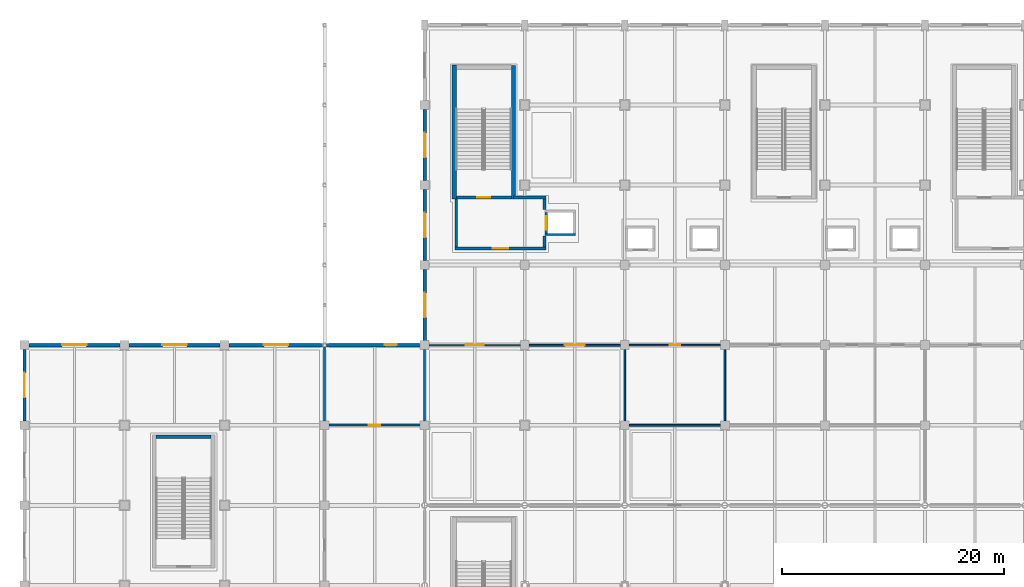
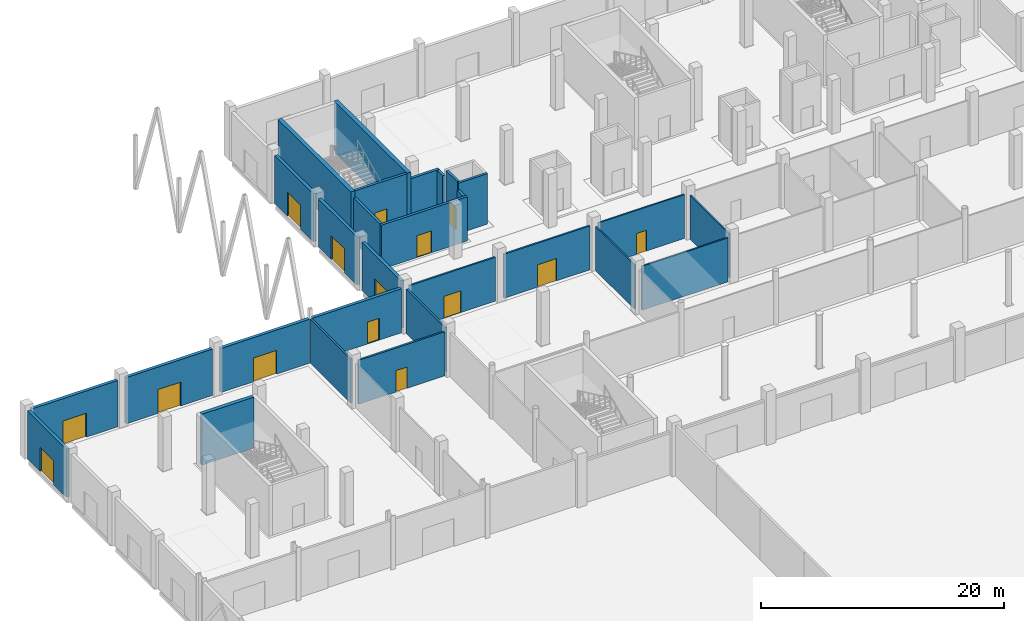
# One storey, part 95 of 137: 28 walls, 15 doors, 15 openings.
"""IFC4 building model written with IfcOpenShell, lengths in metres."""

from ifc_helpers import new_model, si_unit, direction, frame, frame_2d, origin, place, context, subcontext, project, spatial, rectangle, extrude, material, layer, layer_set, type_object, element, fill, save


model = new_model("IFC4")

# Units and contexts
model_context = context("Model", 3, precision=1e-05, world=origin(), true_north=direction((0.0, 1.0)))
body_context = subcontext(model_context, "Body", "Model", "MODEL_VIEW")
ifc_project = project(units=[si_unit("LENGTHUNIT", "METRE"), si_unit("AREAUNIT", "SQUARE_METRE"), si_unit("VOLUMEUNIT", "CUBIC_METRE"), si_unit("PLANEANGLEUNIT", "RADIAN"), si_unit("MASSUNIT", "GRAM", prefix="KILO")], contexts=[model_context])

# Site, building, storey
site_placement = place(None, origin())
site = spatial("IfcSite", under=ifc_project, at=site_placement, CompositionType="ELEMENT")
building_placement = place(site_placement, origin())
building = spatial("IfcBuilding", under=site, at=building_placement, Name="Celestram Park Convention Centre", CompositionType="ELEMENT")
storey_placement = place(building_placement, origin())
storey = spatial("IfcBuildingStorey", under=building, at=storey_placement, Name="L00", CompositionType="ELEMENT", Elevation=0.0)

# Wall, opening, door
ifc_material_1 = material(Name="Concrete Block Masonry C25/30", Category="masonry")
ifc_layer_1 = layer(ifc_material_1, 0.25)
ifc_layer_set_1 = layer_set([ifc_layer_1], Name="Concrete Block Masonry C25/30")
wall_type_1 = type_object("IfcWallType", Name="ARC-WL-COR250", PredefinedType="STANDARD", material=ifc_layer_set_1)
wall_1_placement = place(storey_placement, frame((43.800048828125, 150.074951171875, 0.0), z_axis=(0.0, 0.0, 1.0), x_axis=(-1.0, 0.0, 0.0)))
wall_1 = element("IfcWall", 1, at=wall_1_placement, inside=storey, type_object=wall_type_1, Name="Core C1 stair entrance wall", PredefinedType="STANDARD", context=body_context, shape_type="SweptSolid", body=[
    extrude(rectangle(XDim=4.9599609375, YDim=0.25, at=frame_2d((2.47998046875, 0.0))), origin(), (0.0, 0.0, 1.0), 5.080078125),
])
opening_1_placement = place(wall_1_placement, frame((1.905029296875, 0.0, 0.0)))
opening_1 = element("IfcOpeningElement", 2, at=opening_1_placement, cuts=wall_1, Name="Opening D-ST1", PredefinedType="OPENING", context=body_context, shape_type="SweptSolid", body=[
    extrude(rectangle(XDim=1.14990234375, YDim=2.199951171875, at=frame_2d((0.574951171875, 1.10009765625))), frame((0.0, 0.135009765625, 0.0), z_axis=(0.0, -1.0, 0.0), x_axis=(1.0, 0.0, 0.0)), (0.0, 0.0, 1.0), 0.27001953125),
])
ifc_material_2 = material(Name="Fire-Rated Hollow Metal Steel ASTM A653", Category="steel")
door_type_1 = type_object("IfcDoorType", Name="ARC-DR-ST115", OperationType="NOTDEFINED", PredefinedType="DOOR", material=ifc_material_2)
door_1_placement = place(opening_1_placement, origin())
door_1 = element("IfcDoor", 3, at=door_1_placement, inside=storey, type_object=door_type_1, Name="Exit stair ST-01 fire door", OperationType="SINGLE_SWING_RIGHT", OverallHeight=2.199951171875, OverallWidth=1.14990234375, PredefinedType="DOOR", context=body_context, shape_type="SweptSolid", body=[
    extrude(rectangle(XDim=1.14990234375, YDim=2.199951171875, at=frame_2d((0.574951171875, 1.10009765625))), frame((0.0, 0.02490234375, 0.0), z_axis=(0.0, -1.0, 0.0), x_axis=(1.0, 0.0, 0.0)), (0.0, 0.0, 1.0), 0.050048828125),
])
fill(opening_1, door_1)

# Wall
wall_2_placement = place(storey_placement, frame((38.840087890625, 149.93994140625, 0.0), z_axis=(0.0, 0.0, 1.0), x_axis=(0.0, -1.0, 0.0)))
element("IfcWall", 4, at=wall_2_placement, inside=storey, type_object=wall_type_1, Name="Firefighting Lift Lobby C1 W wall", PredefinedType="STANDARD", context=body_context, shape_type="SweptSolid", body=[
    extrude(rectangle(XDim=4.31494140625, YDim=0.25, at=frame_2d((2.157470703125, 0.0))), origin(), (0.0, 0.0, 1.0), 4.43701171875),
])

# Wall, opening, door
wall_3_placement = place(storey_placement, frame((38.715087890625, 145.5, 0.0), z_axis=(0.0, 0.0, 1.0), x_axis=(1.0, 0.0, 0.0)))
wall_3 = element("IfcWall", 5, at=wall_3_placement, inside=storey, type_object=wall_type_1, Name="Firefighting Lift Lobby C1 S wall", PredefinedType="STANDARD", context=body_context, shape_type="SweptSolid", body=[
    extrude(rectangle(XDim=8.18994140625, YDim=0.25, at=frame_2d((4.094970703125, 0.0))), origin(), (0.0, 0.0, 1.0), 4.43701171875),
])
opening_2_placement = place(wall_3_placement, frame((3.39501953125, 0.0, 0.0)))
opening_2 = element("IfcOpeningElement", 6, at=opening_2_placement, cuts=wall_3, Name="Opening D-LB1", PredefinedType="OPENING", context=body_context, shape_type="SweptSolid", body=[
    extrude(rectangle(XDim=1.39990234375, YDim=2.199951171875, at=frame_2d((0.699951171875, 1.10009765625))), frame((0.0, 0.135009765625, 0.0), z_axis=(0.0, -1.0, 0.0), x_axis=(1.0, 0.0, 0.0)), (0.0, 0.0, 1.0), 0.27001953125),
])
ifc_material_3 = material(Name="Fire-Rated Glazed Steel Frame", Category="steel")
door_type_2 = type_object("IfcDoorType", Name="ARC-DR-LB140", OperationType="NOTDEFINED", PredefinedType="DOOR", material=ifc_material_3)
door_2_placement = place(opening_2_placement, origin())
door_2 = element("IfcDoor", 7, at=door_2_placement, inside=storey, type_object=door_type_2, Name="Firefighting Lift Lobby C1 fire door", OperationType="SINGLE_SWING_RIGHT", OverallHeight=2.199951171875, OverallWidth=1.39990234375, PredefinedType="DOOR", context=body_context, shape_type="SweptSolid", body=[
    extrude(rectangle(XDim=1.39990234375, YDim=2.199951171875, at=frame_2d((0.699951171875, 1.10009765625))), frame((0.0, 0.02490234375, 0.0), z_axis=(0.0, -1.0, 0.0), x_axis=(1.0, 0.0, 0.0)), (0.0, 0.0, 1.0), 0.050048828125),
])
fill(opening_2, door_2)

# Walls
wall_4_placement = place(storey_placement, frame((46.780029296875, 145.625, 0.0), z_axis=(0.0, 0.0, 1.0), x_axis=(0.0, 1.0, 0.0)))
element("IfcWall", 8, at=wall_4_placement, inside=storey, type_object=wall_type_1, Name="Firefighting Lift Lobby C1 ES wall", PredefinedType="STANDARD", context=body_context, shape_type="SweptSolid", body=[
    extrude(rectangle(XDim=0.97509765625, YDim=0.25, at=frame_2d((0.487548828125, 0.0))), origin(), (0.0, 0.0, 1.0), 4.43701171875),
])
wall_5_placement = place(storey_placement, frame((46.780029296875, 149.0, 0.0), z_axis=(0.0, 0.0, 1.0), x_axis=(0.0, 1.0, 0.0)))
element("IfcWall", 9, at=wall_5_placement, inside=storey, type_object=wall_type_1, Name="Firefighting Lift Lobby C1 EN wall", PredefinedType="STANDARD", context=body_context, shape_type="SweptSolid", body=[
    extrude(rectangle(XDim=0.949951171875, YDim=0.25, at=frame_2d((0.47509765625, 0.0))), origin(), (0.0, 0.0, 1.0), 4.43701171875),
])
wall_6_placement = place(storey_placement, frame((44.0, 150.074951171875, 0.0), z_axis=(0.0, 0.0, 1.0), x_axis=(1.0, 0.0, 0.0)))
element("IfcWall", 10, at=wall_6_placement, inside=storey, type_object=wall_type_1, Name="Firefighting Lift Lobby C1 N wall", PredefinedType="STANDARD", context=body_context, shape_type="SweptSolid", body=[
    extrude(rectangle(XDim=2.905029296875, YDim=0.25, at=frame_2d((1.45263671875, 0.0))), origin(), (0.0, 0.0, 1.0), 4.43701171875),
])

# Wall, opening, door
ifc_material_4 = material(Name="Precast Concrete C40/50", Category="concrete")
ifc_layer_2 = layer(ifc_material_4, 0.300048828125)
ifc_layer_set_2 = layer_set([ifc_layer_2], Name="Precast Concrete C40/50")
wall_type_2 = type_object("IfcWallType", Name="ARC-WL-EXT300", PredefinedType="STANDARD", material=ifc_layer_set_2)
wall_7_placement = place(storey_placement, frame((0.0, 129.998046875, 0.0), z_axis=(0.0, 0.0, 1.0), x_axis=(0.0, 1.0, 0.0)))
wall_7 = element("IfcWall", 11, at=wall_7_placement, inside=storey, type_object=wall_type_2, Name="Bush-hammered precast exterior wall WL-L00-EW016", PredefinedType="STANDARD", context=body_context, shape_type="SweptSolid", body=[
    extrude(rectangle(XDim=6.404052734375, YDim=0.300048828125, at=frame_2d((3.2021484375, 0.0))), origin(), (0.0, 0.0, 1.0), 4.820068359375),
])
opening_3_placement = place(wall_7_placement, frame((2.10205078125, 0.0, 0.0)))
opening_3 = element("IfcOpeningElement", 12, at=opening_3_placement, cuts=wall_7, Name="Opening D-EX1", PredefinedType="OPENING", context=body_context, shape_type="SweptSolid", body=[
    extrude(rectangle(XDim=2.199951171875, YDim=2.39990234375, at=frame_2d((1.10009765625, 1.199951171875))), frame((0.0, 0.159912109375, 0.0), z_axis=(0.0, -1.0, 0.0), x_axis=(1.0, 0.0, 0.0)), (0.0, 0.0, 1.0), 0.320068359375),
])
ifc_material_5 = material(Name="Anodised Aluminium & Tempered Glass", Category="aluminium")
door_type_3 = type_object("IfcDoorType", Name="ARC-DR-EX2200", OperationType="NOTDEFINED", PredefinedType="DOOR", material=ifc_material_5)
door_3_placement = place(opening_3_placement, origin())
door_3 = element("IfcDoor", 13, at=door_3_placement, inside=storey, type_object=door_type_3, Name="Ground egress exit door DR-L00-EX16", OperationType="DOUBLE_DOOR_SINGLE_SWING", OverallHeight=2.39990234375, OverallWidth=2.199951171875, PredefinedType="DOOR", context=body_context, shape_type="SweptSolid", body=[
    extrude(rectangle(XDim=2.199951171875, YDim=2.39990234375, at=frame_2d((1.10009765625, 1.199951171875))), frame((0.0, 0.02490234375, 0.0), z_axis=(0.0, -1.0, 0.0), x_axis=(1.0, 0.0, 0.0)), (0.0, 0.0, 1.0), 0.050048828125),
])
fill(opening_3, door_3)

wall_8_placement = place(storey_placement, frame((0.39794921875, 136.800048828125, 0.0), z_axis=(0.0, 0.0, 1.0), x_axis=(1.0, 0.0, 0.0)))
wall_8 = element("IfcWall", 14, at=wall_8_placement, inside=storey, type_object=wall_type_2, Name="Bush-hammered precast exterior wall WL-L00-EW017", PredefinedType="STANDARD", context=body_context, shape_type="SweptSolid", body=[
    extrude(rectangle(XDim=8.2041015625, YDim=0.300048828125, at=frame_2d((4.10205078125, 0.0))), origin(), (0.0, 0.0, 1.0), 4.653076171875),
])
opening_4_placement = place(wall_8_placement, frame((3.001953125, 0.0, 0.0)))
opening_4 = element("IfcOpeningElement", 15, at=opening_4_placement, cuts=wall_8, Name="Opening D-EX1", PredefinedType="OPENING", context=body_context, shape_type="SweptSolid", body=[
    extrude(rectangle(XDim=2.199951171875, YDim=2.39990234375, at=frame_2d((1.10009765625, 1.199951171875))), frame((0.0, 0.159912109375, 0.0), z_axis=(0.0, -1.0, 0.0), x_axis=(1.0, 0.0, 0.0)), (0.0, 0.0, 1.0), 0.320068359375),
])
door_4_placement = place(opening_4_placement, origin())
door_4 = element("IfcDoor", 16, at=door_4_placement, inside=storey, type_object=door_type_3, Name="Ground egress exit door DR-L00-EX17", OperationType="DOUBLE_DOOR_SINGLE_SWING", OverallHeight=2.39990234375, OverallWidth=2.199951171875, PredefinedType="DOOR", context=body_context, shape_type="SweptSolid", body=[
    extrude(rectangle(XDim=2.199951171875, YDim=2.39990234375, at=frame_2d((1.10009765625, 1.199951171875))), frame((0.0, 0.02490234375, 0.0), z_axis=(0.0, -1.0, 0.0), x_axis=(1.0, 0.0, 0.0)), (0.0, 0.0, 1.0), 0.050048828125),
])
fill(opening_4, door_4)

wall_9_placement = place(storey_placement, frame((9.39794921875, 136.800048828125, 0.0), z_axis=(0.0, 0.0, 1.0), x_axis=(1.0, 0.0, 0.0)))
wall_9 = element("IfcWall", 17, at=wall_9_placement, inside=storey, type_object=wall_type_2, Name="Bush-hammered precast exterior wall WL-L00-EW018", PredefinedType="STANDARD", context=body_context, shape_type="SweptSolid", body=[
    extrude(rectangle(XDim=8.2041015625, YDim=0.300048828125, at=frame_2d((4.10205078125, 0.0))), origin(), (0.0, 0.0, 1.0), 4.6630859375),
])
opening_5_placement = place(wall_9_placement, frame((3.001953125, 0.0, 0.0)))
opening_5 = element("IfcOpeningElement", 18, at=opening_5_placement, cuts=wall_9, Name="Opening D-EX1", PredefinedType="OPENING", context=body_context, shape_type="SweptSolid", body=[
    extrude(rectangle(XDim=2.199951171875, YDim=2.39990234375, at=frame_2d((1.10009765625, 1.199951171875))), frame((0.0, 0.159912109375, 0.0), z_axis=(0.0, -1.0, 0.0), x_axis=(1.0, 0.0, 0.0)), (0.0, 0.0, 1.0), 0.320068359375),
])
door_5_placement = place(opening_5_placement, origin())
door_5 = element("IfcDoor", 19, at=door_5_placement, inside=storey, type_object=door_type_3, Name="Ground egress exit door DR-L00-EX18", OperationType="DOUBLE_DOOR_SINGLE_SWING", OverallHeight=2.39990234375, OverallWidth=2.199951171875, PredefinedType="DOOR", context=body_context, shape_type="SweptSolid", body=[
    extrude(rectangle(XDim=2.199951171875, YDim=2.39990234375, at=frame_2d((1.10009765625, 1.199951171875))), frame((0.0, 0.02490234375, 0.0), z_axis=(0.0, -1.0, 0.0), x_axis=(1.0, 0.0, 0.0)), (0.0, 0.0, 1.0), 0.050048828125),
])
fill(opening_5, door_5)

wall_10_placement = place(storey_placement, frame((18.39794921875, 136.800048828125, 0.0), z_axis=(0.0, 0.0, 1.0), x_axis=(1.0, 0.0, 0.0)))
wall_10 = element("IfcWall", 20, at=wall_10_placement, inside=storey, type_object=wall_type_2, Name="Bush-hammered precast exterior wall WL-L00-EW019", PredefinedType="STANDARD", context=body_context, shape_type="SweptSolid", body=[
    extrude(rectangle(XDim=8.4541015625, YDim=0.300048828125, at=frame_2d((4.22705078125, 0.0))), origin(), (0.0, 0.0, 1.0), 4.43701171875),
])
opening_6_placement = place(wall_10_placement, frame((3.126953125, 0.0, 0.0)))
opening_6 = element("IfcOpeningElement", 21, at=opening_6_placement, cuts=wall_10, Name="Opening D-EX1", PredefinedType="OPENING", context=body_context, shape_type="SweptSolid", body=[
    extrude(rectangle(XDim=2.199951171875, YDim=2.39990234375, at=frame_2d((1.10009765625, 1.199951171875))), frame((0.0, 0.159912109375, 0.0), z_axis=(0.0, -1.0, 0.0), x_axis=(1.0, 0.0, 0.0)), (0.0, 0.0, 1.0), 0.320068359375),
])
door_6_placement = place(opening_6_placement, origin())
door_6 = element("IfcDoor", 22, at=door_6_placement, inside=storey, type_object=door_type_3, Name="Ground egress exit door DR-L00-EX19", OperationType="DOUBLE_DOOR_SINGLE_SWING", OverallHeight=2.39990234375, OverallWidth=2.199951171875, PredefinedType="DOOR", context=body_context, shape_type="SweptSolid", body=[
    extrude(rectangle(XDim=2.199951171875, YDim=2.39990234375, at=frame_2d((1.10009765625, 1.199951171875))), frame((0.0, 0.02490234375, 0.0), z_axis=(0.0, -1.0, 0.0), x_axis=(1.0, 0.0, 0.0)), (0.0, 0.0, 1.0), 0.050048828125),
])
fill(opening_6, door_6)

wall_11_placement = place(storey_placement, frame((27.14794921875, 136.800048828125, 0.0), z_axis=(0.0, 0.0, 1.0), x_axis=(1.0, 0.0, 0.0)))
wall_11 = element("IfcWall", 23, at=wall_11_placement, inside=storey, type_object=wall_type_2, Name="Bush-hammered precast exterior wall WL-L00-EW020", PredefinedType="STANDARD", context=body_context, shape_type="SweptSolid", body=[
    extrude(rectangle(XDim=8.4541015625, YDim=0.300048828125, at=frame_2d((4.22705078125, 0.0))), origin(), (0.0, 0.0, 1.0), 4.43701171875),
])
opening_7_placement = place(wall_11_placement, frame((5.241455078125, 0.0, 0.0)))
opening_7 = element("IfcOpeningElement", 24, at=opening_7_placement, cuts=wall_11, Name="Opening D-FC1", PredefinedType="OPENING", context=body_context, shape_type="SweptSolid", body=[
    extrude(rectangle(XDim=1.10009765625, YDim=2.199951171875, at=frame_2d((0.550048828125, 1.10009765625))), frame((0.0, 0.159912109375, 0.0), z_axis=(0.0, -1.0, 0.0), x_axis=(1.0, 0.0, 0.0)), (0.0, 0.0, 1.0), 0.320068359375),
])
ifc_material_6 = material(Name="Hollow Metal Steel ASTM A653", Category="steel")
door_type_4 = type_object("IfcDoorType", Name="ARC-DR-FCC110", OperationType="NOTDEFINED", PredefinedType="DOOR", material=ifc_material_6)
door_7_placement = place(opening_7_placement, origin())
door_7 = element("IfcDoor", 25, at=door_7_placement, inside=storey, type_object=door_type_4, Name="Fire Command Centre exterior responder entrance", OperationType="SINGLE_SWING_RIGHT", OverallHeight=2.199951171875, OverallWidth=1.10009765625, PredefinedType="DOOR", context=body_context, shape_type="SweptSolid", body=[
    extrude(rectangle(XDim=1.10009765625, YDim=2.199951171875, at=frame_2d((0.550048828125, 1.10009765625))), frame((0.0, 0.02490234375, 0.0), z_axis=(0.0, -1.0, 0.0), x_axis=(1.0, 0.0, 0.0)), (0.0, 0.0, 1.0), 0.050048828125),
])
fill(opening_7, door_7)

wall_12_placement = place(storey_placement, frame((36.0, 137.197998046875, 0.0), z_axis=(0.0, 0.0, 1.0), x_axis=(0.0, 1.0, 0.0)))
wall_12 = element("IfcWall", 26, at=wall_12_placement, inside=storey, type_object=wall_type_2, Name="Bush-hammered precast exterior wall WL-L00-EW021", PredefinedType="STANDARD", context=body_context, shape_type="SweptSolid", body=[
    extrude(rectangle(XDim=6.404052734375, YDim=0.300048828125, at=frame_2d((3.2021484375, 0.0))), origin(), (0.0, 0.0, 1.0), 4.820068359375),
])
opening_8_placement = place(wall_12_placement, frame((2.10205078125, 0.0, 0.0)))
opening_8 = element("IfcOpeningElement", 27, at=opening_8_placement, cuts=wall_12, Name="Opening D-EX1", PredefinedType="OPENING", context=body_context, shape_type="SweptSolid", body=[
    extrude(rectangle(XDim=2.199951171875, YDim=2.39990234375, at=frame_2d((1.10009765625, 1.199951171875))), frame((0.0, 0.159912109375, 0.0), z_axis=(0.0, -1.0, 0.0), x_axis=(1.0, 0.0, 0.0)), (0.0, 0.0, 1.0), 0.320068359375),
])
door_8_placement = place(opening_8_placement, origin())
door_8 = element("IfcDoor", 28, at=door_8_placement, inside=storey, type_object=door_type_3, Name="Ground egress exit door DR-L00-EX20", OperationType="DOUBLE_DOOR_SINGLE_SWING", OverallHeight=2.39990234375, OverallWidth=2.199951171875, PredefinedType="DOOR", context=body_context, shape_type="SweptSolid", body=[
    extrude(rectangle(XDim=2.199951171875, YDim=2.39990234375, at=frame_2d((1.10009765625, 1.199951171875))), frame((0.0, 0.02490234375, 0.0), z_axis=(0.0, -1.0, 0.0), x_axis=(1.0, 0.0, 0.0)), (0.0, 0.0, 1.0), 0.050048828125),
])
fill(opening_8, door_8)

wall_13_placement = place(storey_placement, frame((36.0, 144.39794921875, 0.0), z_axis=(0.0, 0.0, 1.0), x_axis=(0.0, 1.0, 0.0)))
wall_13 = element("IfcWall", 29, at=wall_13_placement, inside=storey, type_object=wall_type_2, Name="Bush-hammered precast exterior wall WL-L00-EW022", PredefinedType="STANDARD", context=body_context, shape_type="SweptSolid", body=[
    extrude(rectangle(XDim=6.404052734375, YDim=0.300048828125, at=frame_2d((3.2021484375, 0.0))), origin(), (0.0, 0.0, 1.0), 4.820068359375),
])
opening_9_placement = place(wall_13_placement, frame((2.10205078125, 0.0, 0.0)))
opening_9 = element("IfcOpeningElement", 30, at=opening_9_placement, cuts=wall_13, Name="Opening D-EX1", PredefinedType="OPENING", context=body_context, shape_type="SweptSolid", body=[
    extrude(rectangle(XDim=2.199951171875, YDim=2.39990234375, at=frame_2d((1.10009765625, 1.199951171875))), frame((0.0, 0.159912109375, 0.0), z_axis=(0.0, -1.0, 0.0), x_axis=(1.0, 0.0, 0.0)), (0.0, 0.0, 1.0), 0.320068359375),
])
door_9_placement = place(opening_9_placement, origin())
door_9 = element("IfcDoor", 31, at=door_9_placement, inside=storey, type_object=door_type_3, Name="Ground egress exit door DR-L00-EX21", OperationType="DOUBLE_DOOR_SINGLE_SWING", OverallHeight=2.39990234375, OverallWidth=2.199951171875, PredefinedType="DOOR", context=body_context, shape_type="SweptSolid", body=[
    extrude(rectangle(XDim=2.199951171875, YDim=2.39990234375, at=frame_2d((1.10009765625, 1.199951171875))), frame((0.0, 0.02490234375, 0.0), z_axis=(0.0, -1.0, 0.0), x_axis=(1.0, 0.0, 0.0)), (0.0, 0.0, 1.0), 0.050048828125),
])
fill(opening_9, door_9)

wall_14_placement = place(storey_placement, frame((36.0, 151.597900390625, 0.0), z_axis=(0.0, 0.0, 1.0), x_axis=(0.0, 1.0, 0.0)))
wall_14 = element("IfcWall", 32, at=wall_14_placement, inside=storey, type_object=wall_type_2, Name="Bush-hammered precast exterior wall WL-L00-EW023", PredefinedType="STANDARD", context=body_context, shape_type="SweptSolid", body=[
    extrude(rectangle(XDim=6.404052734375, YDim=0.300048828125, at=frame_2d((3.2021484375, 0.0))), origin(), (0.0, 0.0, 1.0), 4.820068359375),
])
opening_10_placement = place(wall_14_placement, frame((2.10205078125, 0.0, 0.0)))
opening_10 = element("IfcOpeningElement", 33, at=opening_10_placement, cuts=wall_14, Name="Opening D-EX1", PredefinedType="OPENING", context=body_context, shape_type="SweptSolid", body=[
    extrude(rectangle(XDim=2.199951171875, YDim=2.39990234375, at=frame_2d((1.10009765625, 1.199951171875))), frame((0.0, 0.159912109375, 0.0), z_axis=(0.0, -1.0, 0.0), x_axis=(1.0, 0.0, 0.0)), (0.0, 0.0, 1.0), 0.320068359375),
])
door_10_placement = place(opening_10_placement, origin())
door_10 = element("IfcDoor", 34, at=door_10_placement, inside=storey, type_object=door_type_3, Name="Ground egress exit door DR-L00-EX22", OperationType="DOUBLE_DOOR_SINGLE_SWING", OverallHeight=2.39990234375, OverallWidth=2.199951171875, PredefinedType="DOOR", context=body_context, shape_type="SweptSolid", body=[
    extrude(rectangle(XDim=2.199951171875, YDim=2.39990234375, at=frame_2d((1.10009765625, 1.199951171875))), frame((0.0, 0.02490234375, 0.0), z_axis=(0.0, -1.0, 0.0), x_axis=(1.0, 0.0, 0.0)), (0.0, 0.0, 1.0), 0.050048828125),
])
fill(opening_10, door_10)

# Wall
ifc_material_7 = material(Name="Moisture-Resistant Gypsum Partition 140 mm", Category="gypsum")
ifc_layer_3 = layer(ifc_material_7, 0.139892578125)
ifc_layer_set_3 = layer_set([ifc_layer_3], Name="Moisture-Resistant Gypsum Partition 140 mm")
wall_type_3 = type_object("IfcWallType", Name="ARC-WL-PRT140", PredefinedType="PARTITIONING", material=ifc_layer_set_3)
wall_15_placement = place(storey_placement, frame((54.39794921875, 129.60009765625, 0.0), z_axis=(0.0, 0.0, 1.0), x_axis=(1.0, 0.0, 0.0)))
element("IfcWall", 35, at=wall_15_placement, inside=storey, type_object=wall_type_3, Name="Interior partition WL-L00-IN0583", PredefinedType="PARTITIONING", context=body_context, shape_type="SweptSolid", body=[
    extrude(rectangle(XDim=8.2041015625, YDim=0.139892578125, at=frame_2d((4.10205078125, 0.0))), origin(), (0.0, 0.0, 1.0), 4.424072265625),
])

# Wall, opening, door
wall_16_placement = place(storey_placement, frame((54.39794921875, 136.800048828125, 0.0), z_axis=(0.0, 0.0, 1.0), x_axis=(1.0, 0.0, 0.0)))
wall_16 = element("IfcWall", 36, at=wall_16_placement, inside=storey, type_object=wall_type_3, Name="Interior partition WL-L00-IN0589", PredefinedType="PARTITIONING", context=body_context, shape_type="SweptSolid", body=[
    extrude(rectangle(XDim=8.2041015625, YDim=0.139892578125, at=frame_2d((4.10205078125, 0.0))), origin(), (0.0, 0.0, 1.0), 4.424072265625),
])
opening_11_placement = place(wall_16_placement, frame((3.626953125, 0.0, 0.0)))
opening_11 = element("IfcOpeningElement", 37, at=opening_11_placement, cuts=wall_16, Name="Opening D-08", PredefinedType="OPENING", context=body_context, shape_type="SweptSolid", body=[
    extrude(rectangle(XDim=0.949951171875, YDim=2.10009765625, at=frame_2d((0.47509765625, 1.050048828125))), frame((0.0, 0.079833984375, 0.0), z_axis=(0.0, -1.0, 0.0), x_axis=(1.0, 0.0, 0.0)), (0.0, 0.0, 1.0), 0.159912109375),
])
ifc_material_8 = material(Name="Laminate Moisture-Resistant Restroom Door", Category="wood")
door_type_5 = type_object("IfcDoorType", Name="ARC-DR-WC095", OperationType="NOTDEFINED", PredefinedType="DOOR", material=ifc_material_8)
door_11_placement = place(opening_11_placement, origin())
door_11 = element("IfcDoor", 38, at=door_11_placement, inside=storey, type_object=door_type_5, Name="Men Restroom L00 entrance door", OperationType="SINGLE_SWING_RIGHT", OverallHeight=2.10009765625, OverallWidth=0.949951171875, PredefinedType="DOOR", context=body_context, shape_type="SweptSolid", body=[
    extrude(rectangle(XDim=0.949951171875, YDim=2.10009765625, at=frame_2d((0.47509765625, 1.050048828125))), frame((0.0, 0.02490234375, 0.0), z_axis=(0.0, -1.0, 0.0), x_axis=(1.0, 0.0, 0.0)), (0.0, 0.0, 1.0), 0.050048828125),
])
fill(opening_11, door_11)

# Walls
for number, where, z_axis, x_axis, name in (
    (39, (54.0, 129.998046875, 0.0), (0.0, 0.0, 1.0), (0.0, 1.0, 0.0), "Interior partition WL-L00-IN0627"),
    (40, (63.0, 129.998046875, 0.0), (0.0, 0.0, 1.0), (0.0, 1.0, 0.0), "Interior partition WL-L00-IN0628"),
):
    element("IfcWall", number, at=place(storey_placement, frame(where, z_axis=z_axis, x_axis=x_axis)), inside=storey, type_object=wall_type_3, Name=name, PredefinedType="PARTITIONING", context=body_context, shape_type="SweptSolid", body=[
        extrude(rectangle(XDim=6.404052734375, YDim=0.139892578125, at=frame_2d((3.2021484375, 0.0))), origin(), (0.0, 0.0, 1.0), 4.43701171875),
    ])

# Wall, opening, door
ifc_material_9 = material(Name="Acoustic Gypsum & Steel Stud 160 mm", Category="steel")
ifc_layer_4 = layer(ifc_material_9, 0.159912109375)
ifc_layer_set_4 = layer_set([ifc_layer_4], Name="Acoustic Gypsum & Steel Stud 160 mm")
wall_type_4 = type_object("IfcWallType", Name="ARC-WL-PRT160", PredefinedType="PARTITIONING", material=ifc_layer_set_4)
wall_17_placement = place(storey_placement, frame((36.39794921875, 136.800048828125, 0.0), z_axis=(0.0, 0.0, 1.0), x_axis=(1.0, 0.0, 0.0)))
wall_17 = element("IfcWall", 41, at=wall_17_placement, inside=storey, type_object=wall_type_4, Name="Interior partition WL-L00-IN0587", PredefinedType="PARTITIONING", context=body_context, shape_type="SweptSolid", body=[
    extrude(rectangle(XDim=8.2041015625, YDim=0.159912109375, at=frame_2d((4.10205078125, 0.0))), origin(), (0.0, 0.0, 1.0), 4.424072265625),
])
opening_12_placement = place(wall_17_placement, frame((3.302001953125, 0.0, 0.0)))
opening_12 = element("IfcOpeningElement", 42, at=opening_12_placement, cuts=wall_17, Name="Opening D-05", PredefinedType="OPENING", context=body_context, shape_type="SweptSolid", body=[
    extrude(rectangle(XDim=1.60009765625, YDim=2.199951171875, at=frame_2d((0.800048828125, 1.10009765625))), frame((0.0, 0.08984375, 0.0), z_axis=(0.0, -1.0, 0.0), x_axis=(1.0, 0.0, 0.0)), (0.0, 0.0, 1.0), 0.179931640625),
])
ifc_material_10 = material(Name="Solid White Oak Double Door", Category="wood")
door_type_6 = type_object("IfcDoorType", Name="ARC-DR-MTG160", OperationType="NOTDEFINED", PredefinedType="DOOR", material=ifc_material_10)
door_12_placement = place(opening_12_placement, origin())
door_12 = element("IfcDoor", 43, at=door_12_placement, inside=storey, type_object=door_type_6, Name="Civic Press Briefing Room entrance door", OperationType="DOUBLE_DOOR_SINGLE_SWING", OverallHeight=2.199951171875, OverallWidth=1.60009765625, PredefinedType="DOOR", context=body_context, shape_type="SweptSolid", body=[
    extrude(rectangle(XDim=1.60009765625, YDim=2.199951171875, at=frame_2d((0.800048828125, 1.10009765625))), frame((0.0, 0.02490234375, 0.0), z_axis=(0.0, -1.0, 0.0), x_axis=(1.0, 0.0, 0.0)), (0.0, 0.0, 1.0), 0.050048828125),
])
fill(opening_12, door_12)

wall_18_placement = place(storey_placement, frame((45.39794921875, 136.800048828125, 0.0), z_axis=(0.0, 0.0, 1.0), x_axis=(1.0, 0.0, 0.0)))
wall_18 = element("IfcWall", 44, at=wall_18_placement, inside=storey, type_object=wall_type_4, Name="Interior partition WL-L00-IN0588", PredefinedType="PARTITIONING", context=body_context, shape_type="SweptSolid", body=[
    extrude(rectangle(XDim=8.2041015625, YDim=0.159912109375, at=frame_2d((4.10205078125, 0.0))), origin(), (0.0, 0.0, 1.0), 4.424072265625),
])
opening_13_placement = place(wall_18_placement, frame((3.201904296875, 0.0, 0.0)))
opening_13 = element("IfcOpeningElement", 45, at=opening_13_placement, cuts=wall_18, Name="Opening D-04", PredefinedType="OPENING", context=body_context, shape_type="SweptSolid", body=[
    extrude(rectangle(XDim=1.800048828125, YDim=2.25, at=frame_2d((0.89990234375, 1.125))), frame((0.0, 0.08984375, 0.0), z_axis=(0.0, -1.0, 0.0), x_axis=(1.0, 0.0, 0.0)), (0.0, 0.0, 1.0), 0.179931640625),
])
ifc_material_11 = material(Name="Solid White Oak Acoustic Double Door", Category="wood")
door_type_7 = type_object("IfcDoorType", Name="ARC-DR-MTG180", OperationType="NOTDEFINED", PredefinedType="DOOR", material=ifc_material_11)
door_13_placement = place(opening_13_placement, origin())
door_13 = element("IfcDoor", 46, at=door_13_placement, inside=storey, type_object=door_type_7, Name="Civic Press Briefing Room entrance door", OperationType="DOUBLE_DOOR_SINGLE_SWING", OverallHeight=2.25, OverallWidth=1.800048828125, PredefinedType="DOOR", context=body_context, shape_type="SweptSolid", body=[
    extrude(rectangle(XDim=1.800048828125, YDim=2.25, at=frame_2d((0.89990234375, 1.125))), frame((0.0, 0.02490234375, 0.0), z_axis=(0.0, -1.0, 0.0), x_axis=(1.0, 0.0, 0.0)), (0.0, 0.0, 1.0), 0.050048828125),
])
fill(opening_13, door_13)

ifc_material_12 = material(Name="Fire-Rated Gypsum & Steel Stud 180 mm", Category="steel")
ifc_layer_5 = layer(ifc_material_12, 0.179931640625)
ifc_layer_set_5 = layer_set([ifc_layer_5], Name="Fire-Rated Gypsum & Steel Stud 180 mm")
wall_type_5 = type_object("IfcWallType", Name="ARC-WL-PRT180", PredefinedType="PARTITIONING", material=ifc_layer_set_5)
wall_19_placement = place(storey_placement, frame((27.39794921875, 129.60009765625, 0.0), z_axis=(0.0, 0.0, 1.0), x_axis=(1.0, 0.0, 0.0)))
wall_19 = element("IfcWall", 47, at=wall_19_placement, inside=storey, type_object=wall_type_5, Name="Interior partition WL-L00-IN0582", PredefinedType="PARTITIONING", context=body_context, shape_type="SweptSolid", body=[
    extrude(rectangle(XDim=8.2041015625, YDim=0.179931640625, at=frame_2d((4.10205078125, 0.0))), origin(), (0.0, 0.0, 1.0), 4.424072265625),
])
opening_14_placement = place(wall_19_placement, frame((3.576904296875, 0.0, 0.0)))
opening_14 = element("IfcOpeningElement", 48, at=opening_14_placement, cuts=wall_19, Name="Opening D-06", PredefinedType="OPENING", context=body_context, shape_type="SweptSolid", body=[
    extrude(rectangle(XDim=1.050048828125, YDim=2.14990234375, at=frame_2d((0.52490234375, 1.074951171875))), frame((0.0, 0.099853515625, 0.0), z_axis=(0.0, -1.0, 0.0), x_axis=(1.0, 0.0, 0.0)), (0.0, 0.0, 1.0), 0.199951171875),
])
ifc_material_13 = material(Name="Solid Core White Oak Single Door", Category="wood")
door_type_8 = type_object("IfcDoorType", Name="ARC-DR-RM105", OperationType="NOTDEFINED", PredefinedType="DOOR", material=ifc_material_13)
door_14_placement = place(opening_14_placement, origin())
door_14 = element("IfcDoor", 49, at=door_14_placement, inside=storey, type_object=door_type_8, Name="Fire Command Centre entrance door", OperationType="SINGLE_SWING_LEFT", OverallHeight=2.14990234375, OverallWidth=1.050048828125, PredefinedType="DOOR", context=body_context, shape_type="SweptSolid", body=[
    extrude(rectangle(XDim=1.050048828125, YDim=2.14990234375, at=frame_2d((0.52490234375, 1.074951171875))), frame((0.0, 0.02490234375, 0.0), z_axis=(0.0, -1.0, 0.0), x_axis=(1.0, 0.0, 0.0)), (0.0, 0.0, 1.0), 0.050048828125),
])
fill(opening_14, door_14)

# Walls
wall_20_placement = place(storey_placement, frame((27.0, 129.998046875, 0.0), z_axis=(0.0, 0.0, 1.0), x_axis=(0.0, 1.0, 0.0)))
element("IfcWall", 50, at=wall_20_placement, inside=storey, type_object=wall_type_5, Name="Interior partition WL-L00-IN0609", PredefinedType="PARTITIONING", context=body_context, shape_type="SweptSolid", body=[
    extrude(rectangle(XDim=6.654052734375, YDim=0.179931640625, at=frame_2d((3.3271484375, 0.0))), origin(), (0.0, 0.0, 1.0), 4.43701171875),
])
wall_21_placement = place(storey_placement, frame((36.0, 129.998046875, 0.0), z_axis=(0.0, 0.0, 1.0), x_axis=(0.0, 1.0, 0.0)))
element("IfcWall", 51, at=wall_21_placement, inside=storey, type_object=wall_type_5, Name="Interior partition WL-L00-IN0613", PredefinedType="PARTITIONING", context=body_context, shape_type="SweptSolid", body=[
    extrude(rectangle(XDim=6.404052734375, YDim=0.179931640625, at=frame_2d((3.2021484375, 0.0))), origin(), (0.0, 0.0, 1.0), 4.43701171875),
])
ifc_layer_6 = layer(ifc_material_1, 0.219970703125)
ifc_layer_set_6 = layer_set([ifc_layer_6], Name="Concrete Block Masonry C25/30")
wall_type_6 = type_object("IfcWallType", Name="ARC-WL-SHF220", PredefinedType="STANDARD", material=ifc_layer_set_6)
wall_22_placement = place(storey_placement, frame((46.820068359375, 146.7548828125, 0.0), z_axis=(0.0, 0.0, 1.0), x_axis=(1.0, 0.0, 0.0)))
element("IfcWall", 52, at=wall_22_placement, inside=storey, type_object=wall_type_6, Name="Lift LF-01 shaft wall S", PredefinedType="STANDARD", context=body_context, shape_type="SweptSolid", body=[
    extrude(rectangle(XDim=2.760009765625, YDim=0.219970703125, at=frame_2d((1.3798828125, 0.0))), origin(), (0.0, 0.0, 1.0), 5.080078125),
])

# Wall, opening, door
wall_23_placement = place(storey_placement, frame((46.929931640625, 148.735107421875, 0.0), z_axis=(0.0, 0.0, 1.0), x_axis=(0.0, -1.0, 0.0)))
wall_23 = element("IfcWall", 53, at=wall_23_placement, inside=storey, type_object=wall_type_6, Name="Lift LF-01 shaft wall W", PredefinedType="STANDARD", context=body_context, shape_type="SweptSolid", body=[
    extrude(rectangle(XDim=1.8701171875, YDim=0.219970703125, at=frame_2d((0.93505859375, 0.0))), origin(), (0.0, 0.0, 1.0), 5.080078125),
])
opening_15_placement = place(wall_23_placement, frame((0.3349609375, 0.0, 0.0)))
opening_15 = element("IfcOpeningElement", 54, at=opening_15_placement, cuts=wall_23, Name="Opening LD-01", PredefinedType="OPENING", context=body_context, shape_type="SweptSolid", body=[
    extrude(rectangle(XDim=1.199951171875, YDim=2.199951171875, at=frame_2d((0.60009765625, 1.10009765625))), frame((0.0, 0.119873046875, 0.0), z_axis=(0.0, -1.0, 0.0), x_axis=(1.0, 0.0, 0.0)), (0.0, 0.0, 1.0), 0.239990234375),
])
ifc_material_14 = material(Name="Brushed Stainless Steel AISI 304", Category="steel")
door_type_9 = type_object("IfcDoorType", Name="ARC-DR-LFT120", OperationType="NOTDEFINED", PredefinedType="DOOR", material=ifc_material_14)
door_15_placement = place(opening_15_placement, origin())
door_15 = element("IfcDoor", 55, at=door_15_placement, inside=storey, type_object=door_type_9, Name="Lift LF-01 sliding landing door", OperationType="DOUBLE_DOOR_SLIDING", OverallHeight=2.199951171875, OverallWidth=1.199951171875, PredefinedType="DOOR", context=body_context, shape_type="SweptSolid", body=[
    extrude(rectangle(XDim=1.199951171875, YDim=2.199951171875, at=frame_2d((0.60009765625, 1.10009765625))), frame((0.0, 0.02490234375, 0.0), z_axis=(0.0, -1.0, 0.0), x_axis=(1.0, 0.0, 0.0)), (0.0, 0.0, 1.0), 0.050048828125),
])
fill(opening_15, door_15)

# Walls
ifc_material_15 = material(Name="Concrete C40/50", Category="concrete")
ifc_layer_7 = layer(ifc_material_15, 0.340087890625)
ifc_layer_set_7 = layer_set([ifc_layer_7], Name="Concrete C40/50")
wall_type_7 = type_object("IfcWallType", Name="STR-WL-SHR340", PredefinedType="SHEAR", material=ifc_layer_set_7)
wall_24_placement = place(storey_placement, frame((11.840087890625, 128.570068359375, 0.0), z_axis=(0.0, 0.0, 1.0), x_axis=(1.0, 0.0, 0.0)))
element("IfcWall", 56, at=wall_24_placement, inside=storey, type_object=wall_type_7, Name="Core S15 shear wall F", PredefinedType="SHEAR", context=body_context, shape_type="SweptSolid", body=[
    extrude(rectangle(XDim=4.9599609375, YDim=0.340087890625, at=frame_2d((2.47998046875, 0.0))), origin(), (0.0, 0.0, 1.0), 5.1201171875),
])
ifc_layer_8 = layer(ifc_material_15, 0.3798828125)
ifc_layer_set_8 = layer_set([ifc_layer_8], Name="Concrete C40/50")
wall_type_8 = type_object("IfcWallType", Name="STR-WL-SHR380", PredefinedType="SHEAR", material=ifc_layer_set_8)
for number, where, z_axis, x_axis, name in (
    (57, (38.64990234375, 149.949951171875, 0.0), (0.0, 0.0, 1.0), (0.0, 1.0, 0.0), "Core C1 shear wall L"),
    (58, (43.989990234375, 161.97998046875, 0.0), (0.0, 0.0, 1.0), (0.0, -1.0, 0.0), "Core C1 shear wall R"),
):
    element("IfcWall", number, at=place(storey_placement, frame(where, z_axis=z_axis, x_axis=x_axis)), inside=storey, type_object=wall_type_8, Name=name, PredefinedType="SHEAR", context=body_context, shape_type="SweptSolid", body=[
        extrude(rectangle(XDim=12.030029296875, YDim=0.3798828125, at=frame_2d((6.01513671875, 0.0))), origin(), (0.0, 0.0, 1.0), 5.1201171875),
    ])

save(model, "model.ifc")
